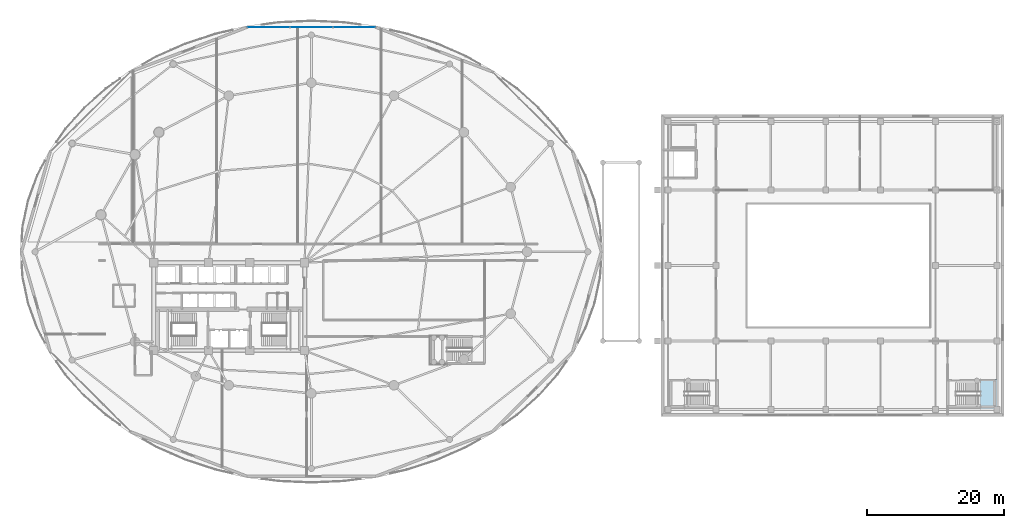
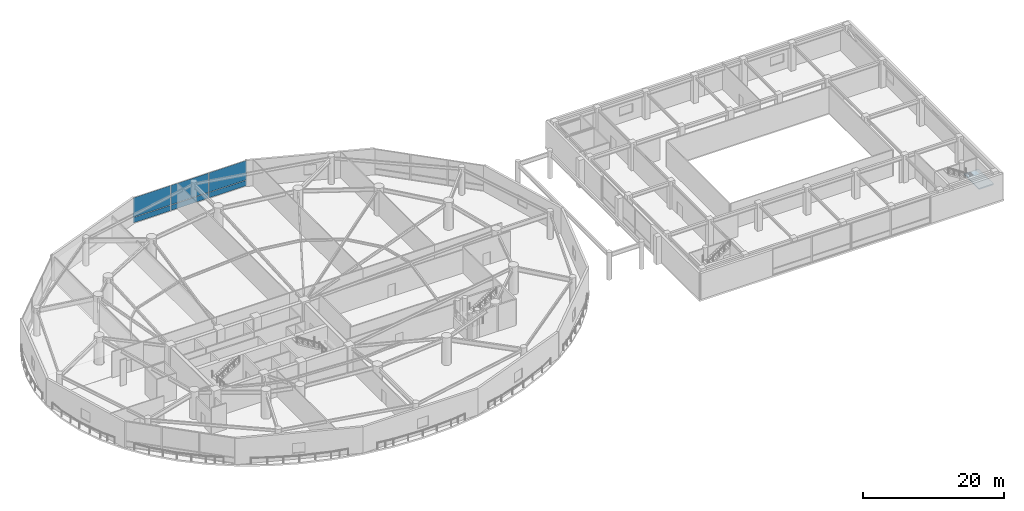
# One storey, part 25 of 40: 6 plates, 1 slab, 2 elements without a shape of their own.
"""IFC4 building model written with IfcOpenShell, lengths in metres."""

import ifcopenshell
import ifcopenshell.guid

model = None  # the IFC model being written
_history = None  # IfcOwnerHistory: only IFC2X3 demands one
_inside = {}  # id of a spatial element -> (the spatial element, [elements in it])
_under = {}  # id of a project, library or spatial element -> (it, [spatial elements below it])
_declared = {}  # id of a project -> (the project, [libraries it declares])
_typed = {}  # id of a type object -> (the type object, [elements of that type])
_made_of = {}  # id of a material, layer set ... -> (it, [elements and type objects made of it])


def new_model(schema):
    """Start an empty IFC model of exactly this schema.

    Asked for "IFC4X3", IfcOpenShell would pick the latest addendum, in which some entities
    have other attributes; the version numbers below select the first issue.
    IFC2X3 requires an IfcOwnerHistory on every rooted entity: one is made here for all.
    """
    global model, _history
    if schema == "IFC4X3":
        model = ifcopenshell.file(schema_version=(4, 3, 0, 0))
    else:
        model = ifcopenshell.file(schema=schema)
    _inside.clear()
    _under.clear()
    _declared.clear()
    _typed.clear()
    _made_of.clear()
    _history = None
    if model.schema == "IFC2X3":
        org = make("IfcOrganization", Name="unknown")
        user = make(
            "IfcPersonAndOrganization",
            ThePerson=make("IfcPerson", FamilyName="unknown"),
            TheOrganization=org,
        )
        app = make(
            "IfcApplication",
            ApplicationDeveloper=org,
            Version="unknown",
            ApplicationFullName="unknown",
            ApplicationIdentifier="unknown",
        )
        _history = make(
            "IfcOwnerHistory",
            OwningUser=user,
            OwningApplication=app,
            ChangeAction="ADDED",
            CreationDate=0,
        )
    return model


def make(cls, **values):
    """One entity of the class cls with the attributes given. An attribute that is None is left unset."""
    return model.create_entity(
        cls, **{name: value for name, value in values.items() if value is not None}
    )


def rooted(cls, **values):
    """An entity with a GlobalId (a new one), such as an element, a storey or a relation."""
    return make(cls, GlobalId=ifcopenshell.guid.new(), OwnerHistory=_history, **values)


def si_unit(unit_type, name, prefix=None):
    """IfcSIUnit, for example si_unit("LENGTHUNIT", "METRE", prefix="MILLI")."""
    return make("IfcSIUnit", UnitType=unit_type, Prefix=prefix, Name=name)


def assignment(units):
    """IfcUnitAssignment: the units of a project."""
    return None if units is None else make("IfcUnitAssignment", Units=units)


def point(xyz):
    """IfcCartesianPoint."""
    return None if xyz is None else make("IfcCartesianPoint", Coordinates=xyz)


def direction(xyz):
    """IfcDirection."""
    return None if xyz is None else make("IfcDirection", DirectionRatios=xyz)


def frame(location, z_axis=None, x_axis=None):
    """IfcAxis2Placement3D, a coordinate frame: its origin and axes. An axis left out is left unset."""
    return make(
        "IfcAxis2Placement3D",
        Location=point(location),
        Axis=direction(z_axis),
        RefDirection=direction(x_axis),
    )


def frame_2d(location, x_axis=None):
    """IfcAxis2Placement2D, a coordinate frame in the plane: its origin and x axis."""
    return make(
        "IfcAxis2Placement2D", Location=point(location), RefDirection=direction(x_axis)
    )


def origin():
    """The frame at (0, 0, 0) with its axes left unset."""
    return frame((0.0, 0.0, 0.0))


def origin_2d():
    """The frame at (0, 0) in the plane with its x axis left unset."""
    return frame_2d((0.0, 0.0))


def place(relative_to, where):
    """IfcLocalPlacement: puts the frame where relative to a parent placement (None: the world)."""
    return make(
        "IfcLocalPlacement", PlacementRelTo=relative_to, RelativePlacement=where
    )


def context(
    kind, dimensions, precision=None, world=None, true_north=None, identifier=None
):
    """IfcGeometricRepresentationContext, for example the 3D "Model" context."""
    return make(
        "IfcGeometricRepresentationContext",
        ContextIdentifier=identifier,
        ContextType=kind,
        CoordinateSpaceDimension=dimensions,
        Precision=precision,
        WorldCoordinateSystem=world,
        TrueNorth=true_north,
    )


def subcontext(parent, identifier, kind, view, scale=None):
    """IfcGeometricRepresentationSubContext, for example "Body" below "Model"."""
    return make(
        "IfcGeometricRepresentationSubContext",
        ContextIdentifier=identifier,
        ContextType=kind,
        ParentContext=parent,
        TargetScale=scale,
        TargetView=view,
    )


def project(units=None, contexts=None):
    """IfcProject with its units and contexts."""
    return rooted(
        "IfcProject",
        Name="project",
        RepresentationContexts=contexts,
        UnitsInContext=assignment(units),
    )


def spatial(cls, under=None, at=None, **own):
    """A site, building, storey or space (cls), placed at a placement, below another one or the project."""
    s = rooted(cls, ObjectPlacement=at, **own)
    if under is not None:
        _under.setdefault(under.id(), (under, []))[1].append(s)
    return s


def polyline(points):
    """IfcPolyline through the points."""
    return make("IfcPolyline", Points=[point(p) for p in points])


def profile(cls, at=None, kind="AREA", **sizes):
    """A parametric profile (cls). Its sizes go by their IFC names, for example OverallWidth=200.0."""
    return make(cls, ProfileType=kind, Position=at, **sizes)


def rectangle(**sizes):
    """IfcRectangleProfileDef."""
    return profile("IfcRectangleProfileDef", **sizes)


def outline(outer, holes=None, kind="AREA"):
    """IfcArbitraryClosedProfileDef: a profile drawn as a closed curve; with holes, ...WithVoids."""
    if holes is None:
        return make("IfcArbitraryClosedProfileDef", ProfileType=kind, OuterCurve=outer)
    return make(
        "IfcArbitraryProfileDefWithVoids",
        ProfileType=kind,
        OuterCurve=outer,
        InnerCurves=holes,
    )


def extrude(swept, where, along, depth):
    """IfcExtrudedAreaSolid: the profile swept, set in the frame where, extruded along a direction by depth."""
    return make(
        "IfcExtrudedAreaSolid",
        SweptArea=swept,
        Position=where,
        ExtrudedDirection=direction(along),
        Depth=depth,
    )


def shape(context_of_items, identifier, shape_type, items):
    """IfcShapeRepresentation: the items that make up one representation, for example the "Body"."""
    return make(
        "IfcShapeRepresentation",
        ContextOfItems=context_of_items,
        RepresentationIdentifier=identifier,
        RepresentationType=shape_type,
        Items=items,
    )


def material(Name=None, Category=None):
    """IfcMaterial."""
    return make("IfcMaterial", Name=Name, Category=Category)


def layer(
    of_material, thickness, ventilated=None, Name=None, Category=None, Priority=None
):
    """IfcMaterialLayer: one layer of a wall or slab, of a material (None: an air gap)."""
    return make(
        "IfcMaterialLayer",
        Material=of_material,
        LayerThickness=thickness,
        IsVentilated=ventilated,
        Name=Name,
        Category=Category,
        Priority=Priority,
    )


def layer_set(layers, Name=None):
    """IfcMaterialLayerSet."""
    return make("IfcMaterialLayerSet", MaterialLayers=layers, LayerSetName=Name)


def made_of(thing, what):
    """Note that an element or type object is made of a material, layer set ...; save() writes the relation."""
    if what is not None:
        _made_of.setdefault(what.id(), (what, []))[1].append(thing)
    return thing


def type_object(cls, material=None, **own):
    """A type object (cls), such as IfcWallType, which elements share."""
    return made_of(rooted(cls, **own), material)


def element(
    cls,
    number,
    at=None,
    inside=None,
    cuts=None,
    type_object=None,
    material=None,
    context=None,
    identifier="Body",
    shape_type=None,
    held_by="IfcProductDefinitionShape",
    body=None,
    shapes=None,
    **own,
):
    """One element of the class cls, such as IfcWall. Its Tag is "e" and its number.

    at: its placement. inside: the storey or other place that contains it. cuts: it is an
    opening in that element (IfcRelVoidsElement). A single representation is given by context,
    identifier, shape_type and body (its items); several are given by shapes. held_by: the class
    of the entity that holds the representations. save() writes the other relations.
    """
    e = rooted(cls, Tag="e%d" % number, ObjectPlacement=at, **own)
    if body is not None:
        shapes = [shape(context, identifier, shape_type, body)]
    if shapes is not None:
        e.Representation = make(held_by, Representations=shapes)
    if inside is not None:
        _inside.setdefault(inside.id(), (inside, []))[1].append(e)
    if cuts is not None:
        rooted(
            "IfcRelVoidsElement", RelatingBuildingElement=cuts, RelatedOpeningElement=e
        )
    if type_object is not None:
        _typed.setdefault(type_object.id(), (type_object, []))[1].append(e)
    return made_of(e, material)


def aggregate(whole, parts):
    """IfcRelAggregates: a whole, such as a stair, and the parts it consists of."""
    return rooted("IfcRelAggregates", RelatingObject=whole, RelatedObjects=parts)


def save(model, path):
    """Write the relations noted so far, then the file.

    IfcRelAggregates (storeys below a building ...), IfcRelContainedInSpatialStructure (elements
    in a storey), IfcRelDefinesByType, IfcRelAssociatesMaterial and IfcRelDeclares: one each for
    every whole, place, type object, material and project.
    """
    for whole, parts in _under.values():
        aggregate(whole, parts)
    for where, things in _inside.values():
        rooted(
            "IfcRelContainedInSpatialStructure",
            RelatedElements=things,
            RelatingStructure=where,
        )
    for kind, things in _typed.values():
        rooted("IfcRelDefinesByType", RelatedObjects=things, RelatingType=kind)
    for what, things in _made_of.values():
        rooted("IfcRelAssociatesMaterial", RelatedObjects=things, RelatingMaterial=what)
    for by, libraries in _declared.values():
        rooted("IfcRelDeclares", RelatingContext=by, RelatedDefinitions=libraries)
    model.write(path)


model = new_model("IFC4")

# Units and contexts
model_context = context("Model", 3, precision=1e-05, world=origin(), true_north=direction((0.0, 1.0)))
body_context = subcontext(model_context, "Body", "Model", "MODEL_VIEW")
ifc_project = project(units=[si_unit("LENGTHUNIT", "METRE"), si_unit("AREAUNIT", "SQUARE_METRE"), si_unit("VOLUMEUNIT", "CUBIC_METRE"), si_unit("PLANEANGLEUNIT", "RADIAN"), si_unit("MASSUNIT", "GRAM", prefix="KILO")], contexts=[model_context])

# Site, building, storey
site_placement = place(None, origin())
site = spatial("IfcSite", under=ifc_project, at=site_placement, CompositionType="ELEMENT")
building_placement = place(site_placement, origin())
building = spatial("IfcBuilding", under=site, at=building_placement, Name="Kazevale Care Tower and Concert Hall", CompositionType="ELEMENT")
storey_placement = place(building_placement, frame((0.0, 0.0, 4.800048828125)))
storey = spatial("IfcBuildingStorey", under=building, at=storey_placement, Name="L01", CompositionType="ELEMENT", Elevation=4.800048828125)

# Curtain wall, plates
ifc_material_1 = material(Name="Aluminium 6063-T6 and Low-E Glass", Category="aluminium")
ifc_layer_1 = layer(ifc_material_1, 0.179931640625)
ifc_layer_set_1 = layer_set([ifc_layer_1], Name="Aluminium 6063-T6 and Low-E Glass")
curtain_wall_type = type_object("IfcCurtainWallType", Name="Podium Double-Skin Medical Curtain Wall CW-1", PredefinedType="NOTDEFINED", material=ifc_layer_set_1)
curtain_wall_placement = place(storey_placement, origin())
curtain_wall = element("IfcCurtainWall", 1, at=curtain_wall_placement, inside=storey, type_object=curtain_wall_type, Name="cw:L01:pod:04", PredefinedType="NOTDEFINED")
ifc_material_2 = material(Name="Low-E Laminated Glass", Category="glass")
ifc_layer_2 = layer(ifc_material_2, 0.030029296875)
ifc_layer_set_2 = layer_set([ifc_layer_2], Name="Low-E Laminated Glass")
plate_type = type_object("IfcPlateType", Name="CW-1 Low-E Glazing Panel 30mm", PredefinedType="CURTAIN_PANEL", material=ifc_layer_set_2)
plate_1_placement = place(storey_placement, frame((51.24951171875, 70.738037109375, 0.080078125), z_axis=(0.0, 0.0, 1.0), x_axis=(-1.0, 0.0, 0.0)))
plate_1 = element("IfcPlate", 2, at=plate_1_placement, type_object=plate_type, Name="CW-1 panel 1.1", PredefinedType="CURTAIN_PANEL", context=body_context, shape_type="SweptSolid", body=[
    extrude(rectangle(XDim=6.136962890625, YDim=0.030029296875, at=origin_2d()), origin(), (0.0, 0.0, 1.0), 0.929931640625),
])
plate_2_placement = place(storey_placement, frame((51.24951171875, 70.738037109375, 1.08984375), z_axis=(0.0, 0.0, 1.0), x_axis=(-1.0, 0.0, 0.0)))
plate_2 = element("IfcPlate", 3, at=plate_2_placement, type_object=plate_type, Name="CW-1 panel 1.2", PredefinedType="CURTAIN_PANEL", context=body_context, shape_type="SweptSolid", body=[
    extrude(rectangle(XDim=6.136962890625, YDim=0.030029296875, at=origin_2d()), origin(), (0.0, 0.0, 1.0), 3.35009765625),
])
plate_3_placement = place(storey_placement, frame((45.0, 70.738037109375, 0.080078125), z_axis=(0.0, 0.0, 1.0), x_axis=(-1.0, 0.0, 0.0)))
plate_3 = element("IfcPlate", 4, at=plate_3_placement, type_object=plate_type, Name="CW-1 panel 2.1", PredefinedType="CURTAIN_PANEL", context=body_context, shape_type="SweptSolid", body=[
    extrude(rectangle(XDim=6.181884765625, YDim=0.030029296875, at=origin_2d()), origin(), (0.0, 0.0, 1.0), 0.929931640625),
])
plate_4_placement = place(storey_placement, frame((45.0, 70.738037109375, 1.08984375), z_axis=(0.0, 0.0, 1.0), x_axis=(-1.0, 0.0, 0.0)))
plate_4 = element("IfcPlate", 5, at=plate_4_placement, type_object=plate_type, Name="CW-1 panel 2.2", PredefinedType="CURTAIN_PANEL", context=body_context, shape_type="SweptSolid", body=[
    extrude(rectangle(XDim=6.181884765625, YDim=0.030029296875, at=origin_2d()), origin(), (0.0, 0.0, 1.0), 3.35009765625),
])
plate_5_placement = place(storey_placement, frame((38.75048828125, 70.738037109375, 0.080078125), z_axis=(0.0, 0.0, 1.0), x_axis=(-1.0, 0.0, 0.0)))
plate_5 = element("IfcPlate", 6, at=plate_5_placement, type_object=plate_type, Name="CW-1 panel 3.1", PredefinedType="CURTAIN_PANEL", context=body_context, shape_type="SweptSolid", body=[
    extrude(rectangle(XDim=6.136962890625, YDim=0.030029296875, at=origin_2d()), origin(), (0.0, 0.0, 1.0), 0.929931640625),
])
plate_6_placement = place(storey_placement, frame((38.75048828125, 70.738037109375, 1.08984375), z_axis=(0.0, 0.0, 1.0), x_axis=(-1.0, 0.0, 0.0)))
plate_6 = element("IfcPlate", 7, at=plate_6_placement, type_object=plate_type, Name="CW-1 panel 3.2", PredefinedType="CURTAIN_PANEL", context=body_context, shape_type="SweptSolid", body=[
    extrude(rectangle(XDim=6.136962890625, YDim=0.030029296875, at=origin_2d()), origin(), (0.0, 0.0, 1.0), 3.35009765625),
])
aggregate(curtain_wall, [plate_1, plate_2, plate_3, plate_4, plate_5, plate_6])

# Stair, slab
ifc_material_3 = material(Name="Concrete C40", Category="concrete")
stair_type = type_object("IfcStairType", Name="Exit Stair Assembly ST4-H", PredefinedType="HALF_TURN_STAIR", material=ifc_material_3)
stair_placement = place(storey_placement, origin())
stair = element("IfcStair", 8, at=stair_placement, inside=storey, type_object=stair_type, Name="stair:L01:ST5", PredefinedType="HALF_TURN_STAIR")
ifc_layer_3 = layer(ifc_material_3, 0.199951171875)
ifc_layer_set_3 = layer_set([ifc_layer_3], Name="Concrete C40")
slab_type = type_object("IfcSlabType", Name="Stair Half-Landing Slab ST4-H", PredefinedType="LANDING", material=ifc_layer_set_3)
slab_placement = place(storey_placement, frame((0.0, 0.0, 2.199951171875)))
slab = element("IfcSlab", 9, at=slab_placement, type_object=slab_type, Name="ST4-H landing 1", PredefinedType="LANDING", context=body_context, shape_type="SweptSolid", body=[
    extrude(outline(polyline([(142.510009765625, 15.10009765625), (144.949951171875, 15.10009765625), (144.949951171875, 19.39990234375), (142.510009765625, 19.39990234375), (142.510009765625, 15.10009765625)])), origin(), (0.0, 0.0, 1.0), 0.199951171875),
])
aggregate(stair, [slab])

save(model, "model.ifc")
